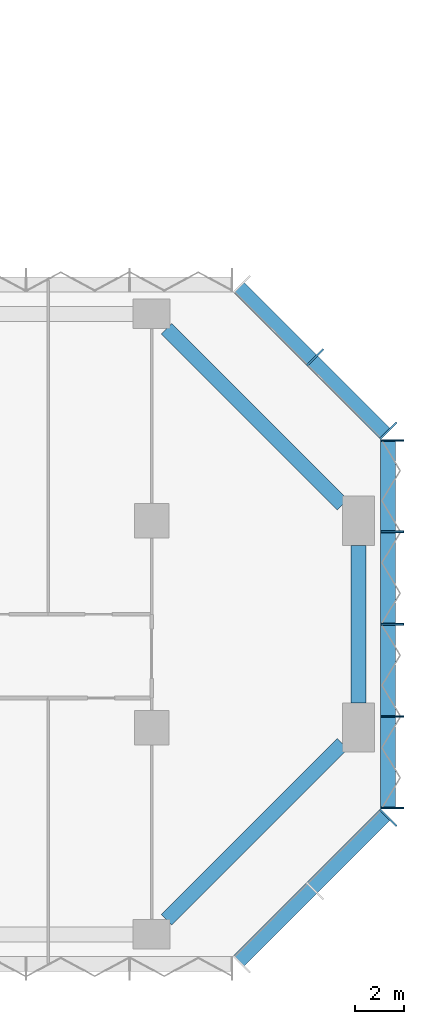
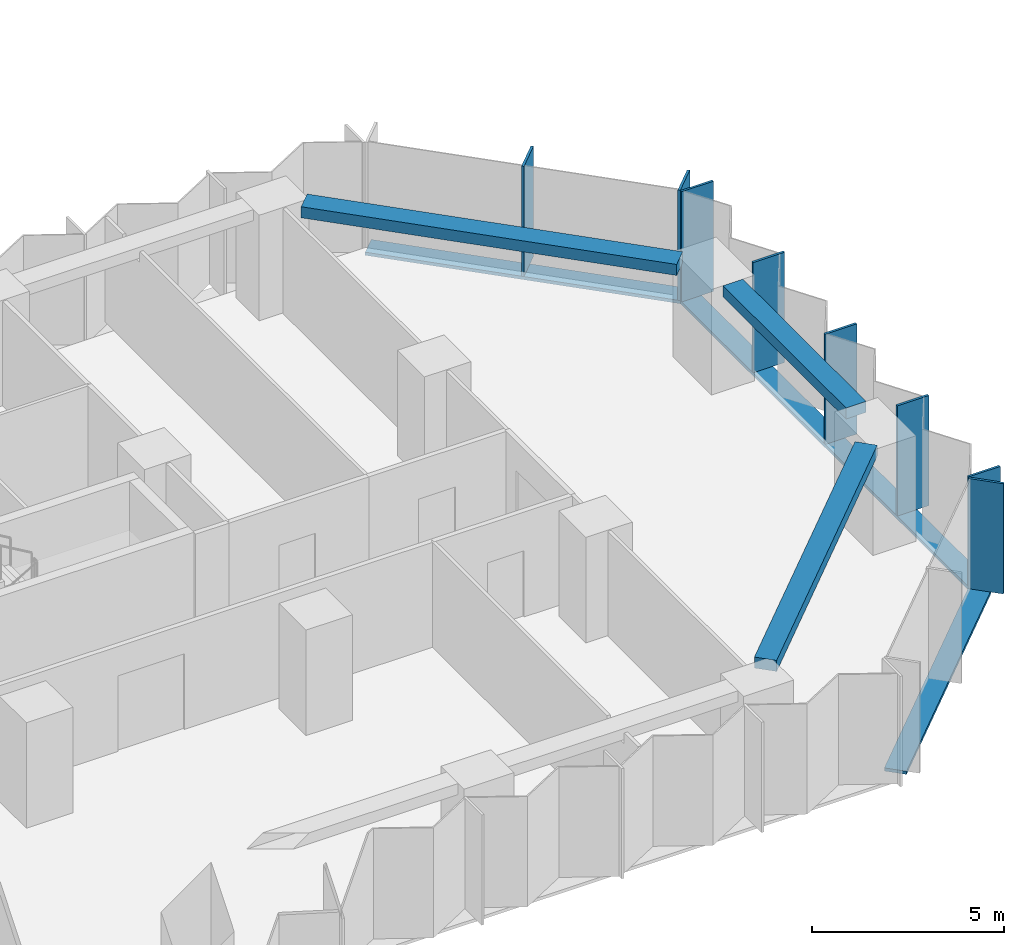
# One storey, part 4 of 15: 11 members, 3 beams, 3 elements without a shape of their own.
"""IFC4 building model written with IfcOpenShell, lengths in metres."""

from ifc_helpers import new_model, si_unit, direction, frame, origin, origin_2d, place, context, subcontext, project, spatial, rectangle, extrude, material, material_profile, profile_set, type_object, element, aggregate, save


model = new_model("IFC4")

# Units and contexts
model_context = context("Model", 3, precision=1e-05, world=origin(), true_north=direction((0.0, 1.0)))
body_context = subcontext(model_context, "Body", "Model", "MODEL_VIEW")
ifc_project = project(units=[si_unit("LENGTHUNIT", "METRE"), si_unit("AREAUNIT", "SQUARE_METRE"), si_unit("VOLUMEUNIT", "CUBIC_METRE"), si_unit("PLANEANGLEUNIT", "RADIAN"), si_unit("MASSUNIT", "GRAM", prefix="KILO")], contexts=[model_context])

# Site, building, storey
site_placement = place(None, origin())
site = spatial("IfcSite", under=ifc_project, at=site_placement, CompositionType="ELEMENT")
building_placement = place(site_placement, origin())
building = spatial("IfcBuilding", under=site, at=building_placement, Name="Brevane Broadcast Tower", CompositionType="ELEMENT")
storey_placement = place(building_placement, frame((0.0, 0.0, 68.89990234375)))
storey = spatial("IfcBuildingStorey", under=building, at=storey_placement, Name="L15", CompositionType="ELEMENT", Elevation=68.89990234375)

# Curtain wall, member
ifc_material_1 = material(Name="Aluminium 6063-T6 bronze anodised", Category="aluminium")
curtain_wall_type = type_object("IfcCurtainWallType", Name="CW-1 curtain wall", PredefinedType="NOTDEFINED", material=ifc_material_1)
curtain_wall_1_placement = place(storey_placement, origin())
curtain_wall_1 = element("IfcCurtainWall", 1, at=curtain_wall_1_placement, inside=storey, type_object=curtain_wall_type, Name="CW-1 typical tilted unit L15 south-east chamfer", PredefinedType="NOTDEFINED")
ifc_material_profile_1 = material_profile(ifc_material_1, rectangle(XDim=0.949951171875, YDim=0.070068359375, at=origin_2d()), Name="RECT 70x950")
ifc_profile_set_1 = profile_set([ifc_material_profile_1], Name="Aluminium 6063-T6 bronze anodised")
member_type_1 = type_object("IfcMemberType", Name="CW-1 mullion 70x950", PredefinedType="MULLION", material=ifc_profile_set_1)
member_1_placement = place(storey_placement, frame((68.4111328125, 4.7392578125, -0.14990234375), z_axis=(0.0, 0.0, 1.0), x_axis=(-0.707106781187, 0.707106781187, 0.0)))
member_1 = element("IfcMember", 2, at=member_1_placement, type_object=member_type_1, Name="CW-1 mullion", PredefinedType="MULLION", context=body_context, shape_type="SweptSolid", body=[
    extrude(rectangle(XDim=0.949951171875, YDim=0.070068359375, at=origin_2d()), origin(), (0.0, 0.0, 1.0), 3.5),
])

# Curtain wall, members
curtain_wall_2_placement = place(storey_placement, origin())
curtain_wall_2 = element("IfcCurtainWall", 3, at=curtain_wall_2_placement, inside=storey, type_object=curtain_wall_type, Name="CW-1 typical tilted unit L15 east end", PredefinedType="NOTDEFINED")
member_2_placement = place(storey_placement, frame((68.574951171875, 5.135009765625, -0.14990234375), z_axis=(0.0, 0.0, 1.0), x_axis=(-1.0, 0.0, 0.0)))
member_2 = element("IfcMember", 4, at=member_2_placement, type_object=member_type_1, Name="CW-1 mullion", PredefinedType="MULLION", context=body_context, shape_type="SweptSolid", body=[
    extrude(rectangle(XDim=0.949951171875, YDim=0.070068359375, at=origin_2d()), origin(), (0.0, 0.0, 1.0), 3.5),
])
member_3_placement = place(storey_placement, frame((68.574951171875, 8.85009765625, -0.14990234375), z_axis=(0.0, 0.0, 1.0), x_axis=(-1.0, 0.0, 0.0)))
member_3 = element("IfcMember", 5, at=member_3_placement, type_object=member_type_1, Name="CW-1 mullion", PredefinedType="MULLION", context=body_context, shape_type="SweptSolid", body=[
    extrude(rectangle(XDim=0.949951171875, YDim=0.070068359375, at=origin_2d()), origin(), (0.0, 0.0, 1.0), 3.5),
])
member_4_placement = place(storey_placement, frame((68.574951171875, 12.60009765625, -0.14990234375), z_axis=(0.0, 0.0, 1.0), x_axis=(-1.0, 0.0, 0.0)))
member_4 = element("IfcMember", 6, at=member_4_placement, type_object=member_type_1, Name="CW-1 mullion", PredefinedType="MULLION", context=body_context, shape_type="SweptSolid", body=[
    extrude(rectangle(XDim=0.949951171875, YDim=0.070068359375, at=origin_2d()), origin(), (0.0, 0.0, 1.0), 3.5),
])
member_5_placement = place(storey_placement, frame((68.574951171875, 16.35009765625, -0.14990234375), z_axis=(0.0, 0.0, 1.0), x_axis=(-1.0, 0.0, 0.0)))
member_5 = element("IfcMember", 7, at=member_5_placement, type_object=member_type_1, Name="CW-1 mullion", PredefinedType="MULLION", context=body_context, shape_type="SweptSolid", body=[
    extrude(rectangle(XDim=0.949951171875, YDim=0.070068359375, at=origin_2d()), origin(), (0.0, 0.0, 1.0), 3.5),
])
member_6_placement = place(storey_placement, frame((68.574951171875, 20.06494140625, -0.14990234375), z_axis=(0.0, 0.0, 1.0), x_axis=(-1.0, 0.0, 0.0)))
member_6 = element("IfcMember", 8, at=member_6_placement, type_object=member_type_1, Name="CW-1 mullion", PredefinedType="MULLION", context=body_context, shape_type="SweptSolid", body=[
    extrude(rectangle(XDim=0.949951171875, YDim=0.070068359375, at=origin_2d()), origin(), (0.0, 0.0, 1.0), 3.5),
])

curtain_wall_3_placement = place(storey_placement, origin())
curtain_wall_3 = element("IfcCurtainWall", 9, at=curtain_wall_3_placement, inside=storey, type_object=curtain_wall_type, Name="CW-1 typical tilted unit L15 north-east chamfer", PredefinedType="NOTDEFINED")
member_7_placement = place(storey_placement, frame((68.4111328125, 20.460693359375, -0.14990234375), z_axis=(0.0, 0.0, 1.0), x_axis=(-0.707106781187, -0.707106781187, 0.0)))
member_7 = element("IfcMember", 10, at=member_7_placement, type_object=member_type_1, Name="CW-1 mullion", PredefinedType="MULLION", context=body_context, shape_type="SweptSolid", body=[
    extrude(rectangle(XDim=0.949951171875, YDim=0.070068359375, at=origin_2d()), origin(), (0.0, 0.0, 1.0), 3.5),
])
member_8_placement = place(storey_placement, frame((65.435791015625, 23.435791015625, -0.14990234375), z_axis=(0.0, 0.0, 1.0), x_axis=(-0.707106781187, -0.707106781187, 0.0)))
member_8 = element("IfcMember", 11, at=member_8_placement, type_object=member_type_1, Name="CW-1 mullion", PredefinedType="MULLION", context=body_context, shape_type="SweptSolid", body=[
    extrude(rectangle(XDim=0.949951171875, YDim=0.070068359375, at=origin_2d()), origin(), (0.0, 0.0, 1.0), 3.5),
])

# Member
ifc_material_profile_2 = material_profile(ifc_material_1, rectangle(XDim=0.60009765625, YDim=0.10009765625, at=origin_2d()), Name="RECT 100x600")
ifc_profile_set_2 = profile_set([ifc_material_profile_2], Name="Aluminium 6063-T6 bronze anodised")
member_type_2 = type_object("IfcMemberType", Name="CW-1 transom 100x600", PredefinedType="USERDEFINED", material=ifc_profile_set_2)
member_9_placement = place(storey_placement, frame((62.31201171875, -1.112060546875, -0.199951171875), z_axis=(0.707106781187, 0.707106781187, 0.0), x_axis=(-0.707106781187, 0.707106781187, 0.0)))
member_9 = element("IfcMember", 12, at=member_9_placement, type_object=member_type_2, Name="CW-1 transom", ObjectType="TRANSOM", PredefinedType="USERDEFINED", context=body_context, shape_type="SweptSolid", body=[
    extrude(rectangle(XDim=0.60009765625, YDim=0.10009765625, at=origin_2d()), origin(), (0.0, 0.0, 1.0), 8.4853515625),
])

aggregate(curtain_wall_1, [member_1, member_9])

member_10_placement = place(storey_placement, frame((68.39990234375, 5.10009765625, -0.199951171875), z_axis=(0.0, 1.0, 0.0), x_axis=(-1.0, 0.0, 0.0)))
member_10 = element("IfcMember", 13, at=member_10_placement, type_object=member_type_2, Name="CW-1 transom", ObjectType="TRANSOM", PredefinedType="USERDEFINED", context=body_context, shape_type="SweptSolid", body=[
    extrude(rectangle(XDim=0.60009765625, YDim=0.10009765625, at=origin_2d()), origin(), (0.0, 0.0, 1.0), 15.0),
])

aggregate(curtain_wall_2, [member_2, member_3, member_4, member_5, member_6, member_10])

member_11_placement = place(storey_placement, frame((68.31201171875, 20.31201171875, -0.199951171875), z_axis=(-0.707106781187, 0.707106781187, 0.0), x_axis=(-0.707106781187, -0.707106781187, 0.0)))
member_11 = element("IfcMember", 14, at=member_11_placement, type_object=member_type_2, Name="CW-1 transom", ObjectType="TRANSOM", PredefinedType="USERDEFINED", context=body_context, shape_type="SweptSolid", body=[
    extrude(rectangle(XDim=0.60009765625, YDim=0.10009765625, at=origin_2d()), origin(), (0.0, 0.0, 1.0), 8.4853515625),
])

aggregate(curtain_wall_3, [member_7, member_8, member_11])

# Beams
ifc_material_2 = material(Name="Concrete C40/50", Category="concrete")
ifc_material_profile_3 = material_profile(ifc_material_2, rectangle(XDim=0.60009765625, YDim=0.35009765625, at=origin_2d()), Name="RC 600x350")
ifc_profile_set_3 = profile_set([ifc_material_profile_3], Name="Concrete C40/50")
beam_type = type_object("IfcBeamType", Name="RC SPANDREL BEAM 600x350 C40/50", PredefinedType="SPANDREL", material=ifc_profile_set_3)
beam_1_placement = place(storey_placement, frame((59.39990234375, 0.60009765625, 3.175048828125), z_axis=(0.707118853314, 0.707094708853, 0.0), x_axis=(-0.707094708853, 0.707118853314, 0.0)))
element("IfcBeam", 15, at=beam_1_placement, inside=storey, type_object=beam_type, Name="EB1 L15-5", PredefinedType="SPANDREL", context=body_context, shape_type="SweptSolid", body=[
    extrude(rectangle(XDim=0.60009765625, YDim=0.35009765625, at=origin_2d()), origin(), (0.0, 0.0, 1.0), 10.111572265625),
])
beam_2_placement = place(storey_placement, frame((67.199951171875, 9.39990234375, 3.175048828125), z_axis=(0.0, 1.0, 0.0), x_axis=(-1.0, 0.0, 0.0)))
element("IfcBeam", 16, at=beam_2_placement, inside=storey, type_object=beam_type, Name="EB1 L15-6", PredefinedType="SPANDREL", context=body_context, shape_type="SweptSolid", body=[
    extrude(rectangle(XDim=0.60009765625, YDim=0.35009765625, at=origin_2d()), origin(), (0.0, 0.0, 1.0), 6.400146484375),
])
beam_3_placement = place(storey_placement, frame((66.550048828125, 17.449951171875, 3.175048828125), z_axis=(-0.707106781187, 0.707106781187, 0.0), x_axis=(-0.707106781187, -0.707106781187, 0.0)))
element("IfcBeam", 17, at=beam_3_placement, inside=storey, type_object=beam_type, Name="EB1 L15-7", PredefinedType="SPANDREL", context=body_context, shape_type="SweptSolid", body=[
    extrude(rectangle(XDim=0.60009765625, YDim=0.35009765625, at=origin_2d()), origin(), (0.0, 0.0, 1.0), 10.11181640625),
])

save(model, "model.ifc")
